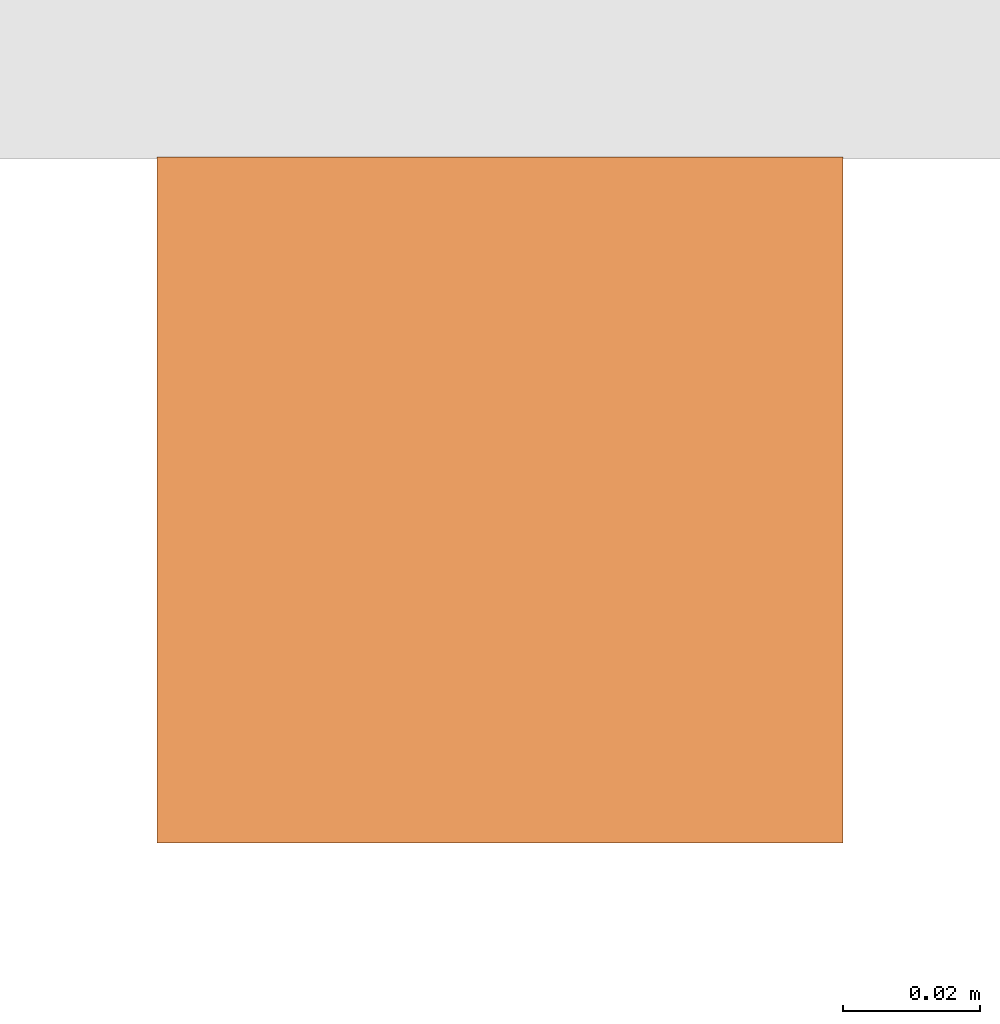
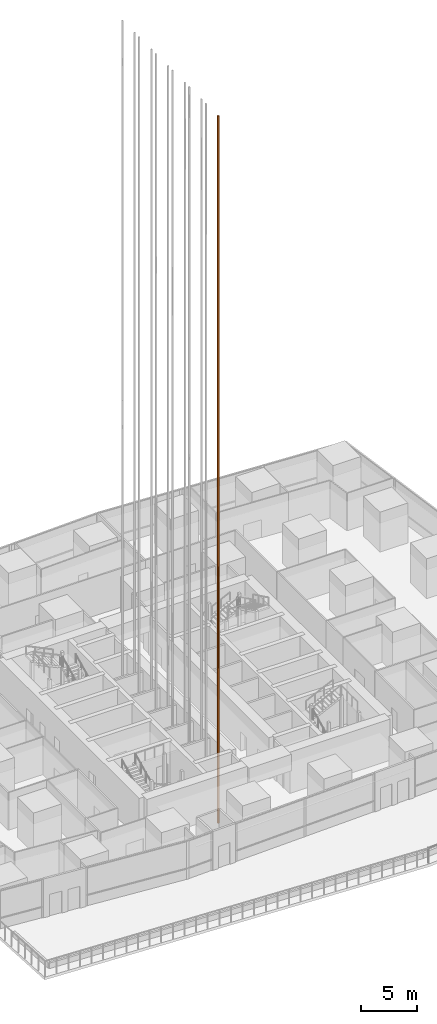
# One storey, part 33 of 44: 1 proxy.
"""IFC4 building model written with IfcOpenShell, lengths in metres."""

import ifcopenshell
import ifcopenshell.guid

model = None  # the IFC model being written
_history = None  # IfcOwnerHistory: only IFC2X3 demands one
_inside = {}  # id of a spatial element -> (the spatial element, [elements in it])
_under = {}  # id of a project, library or spatial element -> (it, [spatial elements below it])
_declared = {}  # id of a project -> (the project, [libraries it declares])
_typed = {}  # id of a type object -> (the type object, [elements of that type])
_made_of = {}  # id of a material, layer set ... -> (it, [elements and type objects made of it])


def new_model(schema):
    """Start an empty IFC model of exactly this schema.

    Asked for "IFC4X3", IfcOpenShell would pick the latest addendum, in which some entities
    have other attributes; the version numbers below select the first issue.
    IFC2X3 requires an IfcOwnerHistory on every rooted entity: one is made here for all.
    """
    global model, _history
    if schema == "IFC4X3":
        model = ifcopenshell.file(schema_version=(4, 3, 0, 0))
    else:
        model = ifcopenshell.file(schema=schema)
    _inside.clear()
    _under.clear()
    _declared.clear()
    _typed.clear()
    _made_of.clear()
    _history = None
    if model.schema == "IFC2X3":
        org = make("IfcOrganization", Name="unknown")
        user = make(
            "IfcPersonAndOrganization",
            ThePerson=make("IfcPerson", FamilyName="unknown"),
            TheOrganization=org,
        )
        app = make(
            "IfcApplication",
            ApplicationDeveloper=org,
            Version="unknown",
            ApplicationFullName="unknown",
            ApplicationIdentifier="unknown",
        )
        _history = make(
            "IfcOwnerHistory",
            OwningUser=user,
            OwningApplication=app,
            ChangeAction="ADDED",
            CreationDate=0,
        )
    return model


def make(cls, **values):
    """One entity of the class cls with the attributes given. An attribute that is None is left unset."""
    return model.create_entity(
        cls, **{name: value for name, value in values.items() if value is not None}
    )


def rooted(cls, **values):
    """An entity with a GlobalId (a new one), such as an element, a storey or a relation."""
    return make(cls, GlobalId=ifcopenshell.guid.new(), OwnerHistory=_history, **values)


def si_unit(unit_type, name, prefix=None):
    """IfcSIUnit, for example si_unit("LENGTHUNIT", "METRE", prefix="MILLI")."""
    return make("IfcSIUnit", UnitType=unit_type, Prefix=prefix, Name=name)


def assignment(units):
    """IfcUnitAssignment: the units of a project."""
    return None if units is None else make("IfcUnitAssignment", Units=units)


def point(xyz):
    """IfcCartesianPoint."""
    return None if xyz is None else make("IfcCartesianPoint", Coordinates=xyz)


def direction(xyz):
    """IfcDirection."""
    return None if xyz is None else make("IfcDirection", DirectionRatios=xyz)


def frame(location, z_axis=None, x_axis=None):
    """IfcAxis2Placement3D, a coordinate frame: its origin and axes. An axis left out is left unset."""
    return make(
        "IfcAxis2Placement3D",
        Location=point(location),
        Axis=direction(z_axis),
        RefDirection=direction(x_axis),
    )


def frame_2d(location, x_axis=None):
    """IfcAxis2Placement2D, a coordinate frame in the plane: its origin and x axis."""
    return make(
        "IfcAxis2Placement2D", Location=point(location), RefDirection=direction(x_axis)
    )


def origin():
    """The frame at (0, 0, 0) with its axes left unset."""
    return frame((0.0, 0.0, 0.0))


def origin_2d():
    """The frame at (0, 0) in the plane with its x axis left unset."""
    return frame_2d((0.0, 0.0))


def place(relative_to, where):
    """IfcLocalPlacement: puts the frame where relative to a parent placement (None: the world)."""
    return make(
        "IfcLocalPlacement", PlacementRelTo=relative_to, RelativePlacement=where
    )


def context(
    kind, dimensions, precision=None, world=None, true_north=None, identifier=None
):
    """IfcGeometricRepresentationContext, for example the 3D "Model" context."""
    return make(
        "IfcGeometricRepresentationContext",
        ContextIdentifier=identifier,
        ContextType=kind,
        CoordinateSpaceDimension=dimensions,
        Precision=precision,
        WorldCoordinateSystem=world,
        TrueNorth=true_north,
    )


def subcontext(parent, identifier, kind, view, scale=None):
    """IfcGeometricRepresentationSubContext, for example "Body" below "Model"."""
    return make(
        "IfcGeometricRepresentationSubContext",
        ContextIdentifier=identifier,
        ContextType=kind,
        ParentContext=parent,
        TargetScale=scale,
        TargetView=view,
    )


def project(units=None, contexts=None):
    """IfcProject with its units and contexts."""
    return rooted(
        "IfcProject",
        Name="project",
        RepresentationContexts=contexts,
        UnitsInContext=assignment(units),
    )


def spatial(cls, under=None, at=None, **own):
    """A site, building, storey or space (cls), placed at a placement, below another one or the project."""
    s = rooted(cls, ObjectPlacement=at, **own)
    if under is not None:
        _under.setdefault(under.id(), (under, []))[1].append(s)
    return s


def profile(cls, at=None, kind="AREA", **sizes):
    """A parametric profile (cls). Its sizes go by their IFC names, for example OverallWidth=200.0."""
    return make(cls, ProfileType=kind, Position=at, **sizes)


def rectangle(**sizes):
    """IfcRectangleProfileDef."""
    return profile("IfcRectangleProfileDef", **sizes)


def extrude(swept, where, along, depth):
    """IfcExtrudedAreaSolid: the profile swept, set in the frame where, extruded along a direction by depth."""
    return make(
        "IfcExtrudedAreaSolid",
        SweptArea=swept,
        Position=where,
        ExtrudedDirection=direction(along),
        Depth=depth,
    )


def shape(context_of_items, identifier, shape_type, items):
    """IfcShapeRepresentation: the items that make up one representation, for example the "Body"."""
    return make(
        "IfcShapeRepresentation",
        ContextOfItems=context_of_items,
        RepresentationIdentifier=identifier,
        RepresentationType=shape_type,
        Items=items,
    )


def material(Name=None, Category=None):
    """IfcMaterial."""
    return make("IfcMaterial", Name=Name, Category=Category)


def made_of(thing, what):
    """Note that an element or type object is made of a material, layer set ...; save() writes the relation."""
    if what is not None:
        _made_of.setdefault(what.id(), (what, []))[1].append(thing)
    return thing


def type_object(cls, material=None, **own):
    """A type object (cls), such as IfcWallType, which elements share."""
    return made_of(rooted(cls, **own), material)


def element(
    cls,
    number,
    at=None,
    inside=None,
    cuts=None,
    type_object=None,
    material=None,
    context=None,
    identifier="Body",
    shape_type=None,
    held_by="IfcProductDefinitionShape",
    body=None,
    shapes=None,
    **own,
):
    """One element of the class cls, such as IfcWall. Its Tag is "e" and its number.

    at: its placement. inside: the storey or other place that contains it. cuts: it is an
    opening in that element (IfcRelVoidsElement). A single representation is given by context,
    identifier, shape_type and body (its items); several are given by shapes. held_by: the class
    of the entity that holds the representations. save() writes the other relations.
    """
    e = rooted(cls, Tag="e%d" % number, ObjectPlacement=at, **own)
    if body is not None:
        shapes = [shape(context, identifier, shape_type, body)]
    if shapes is not None:
        e.Representation = make(held_by, Representations=shapes)
    if inside is not None:
        _inside.setdefault(inside.id(), (inside, []))[1].append(e)
    if cuts is not None:
        rooted(
            "IfcRelVoidsElement", RelatingBuildingElement=cuts, RelatedOpeningElement=e
        )
    if type_object is not None:
        _typed.setdefault(type_object.id(), (type_object, []))[1].append(e)
    return made_of(e, material)


def aggregate(whole, parts):
    """IfcRelAggregates: a whole, such as a stair, and the parts it consists of."""
    return rooted("IfcRelAggregates", RelatingObject=whole, RelatedObjects=parts)


def save(model, path):
    """Write the relations noted so far, then the file.

    IfcRelAggregates (storeys below a building ...), IfcRelContainedInSpatialStructure (elements
    in a storey), IfcRelDefinesByType, IfcRelAssociatesMaterial and IfcRelDeclares: one each for
    every whole, place, type object, material and project.
    """
    for whole, parts in _under.values():
        aggregate(whole, parts)
    for where, things in _inside.values():
        rooted(
            "IfcRelContainedInSpatialStructure",
            RelatedElements=things,
            RelatingStructure=where,
        )
    for kind, things in _typed.values():
        rooted("IfcRelDefinesByType", RelatedObjects=things, RelatingType=kind)
    for what, things in _made_of.values():
        rooted("IfcRelAssociatesMaterial", RelatedObjects=things, RelatingMaterial=what)
    for by, libraries in _declared.values():
        rooted("IfcRelDeclares", RelatingContext=by, RelatedDefinitions=libraries)
    model.write(path)


model = new_model("IFC4")

# Units and contexts
model_context = context("Model", 3, precision=1e-05, world=origin(), true_north=direction((0.0, 1.0)))
body_context = subcontext(model_context, "Body", "Model", "MODEL_VIEW")
ifc_project = project(units=[si_unit("LENGTHUNIT", "METRE"), si_unit("AREAUNIT", "SQUARE_METRE"), si_unit("VOLUMEUNIT", "CUBIC_METRE"), si_unit("PLANEANGLEUNIT", "RADIAN"), si_unit("MASSUNIT", "GRAM", prefix="KILO")], contexts=[model_context])

# Site, building, storey
site_placement = place(None, origin())
site = spatial("IfcSite", under=ifc_project, at=site_placement, CompositionType="ELEMENT")
building_placement = place(site_placement, origin())
building = spatial("IfcBuilding", under=site, at=building_placement, Name="Rekha Terrace Tower", CompositionType="ELEMENT")
storey_placement = place(building_placement, frame((0.0, 0.0, 90.800048828125)))
storey = spatial("IfcBuildingStorey", under=building, at=storey_placement, Name="L22", CompositionType="ELEMENT", Elevation=90.800048828125)

# Proxy
ifc_material = material(Name="Steel guide rail", Category="steel")
building_element_proxy_type = type_object("IfcBuildingElementProxyType", Name="LR1 100 lift guide rail", PredefinedType="ELEMENT", material=ifc_material)
proxy_placement = place(storey_placement, frame((34.5, 23.800048828125, -3.300048828125), z_axis=(0.0, 0.0, 1.0), x_axis=(1.0, 0.0, 0.0)))
element("IfcBuildingElementProxy", 1, at=proxy_placement, inside=storey, type_object=building_element_proxy_type, Name="Lift B1 guide rail 1", PredefinedType="ELEMENT", context=body_context, shape_type="SweptSolid", body=[
    extrude(rectangle(XDim=0.10009765625, YDim=0.10009765625, at=origin_2d()), origin(), (0.0, 0.0, 1.0), 77.39990234375),
])

save(model, "model.ifc")
